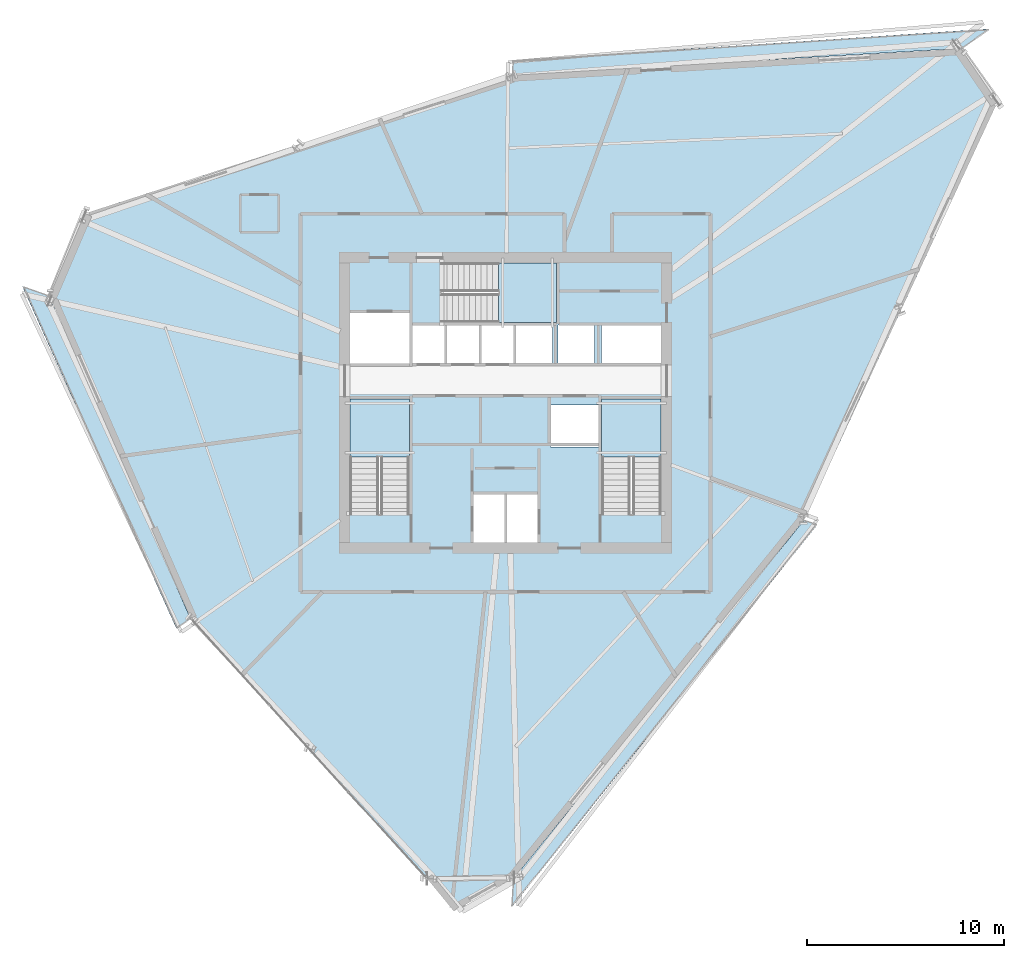
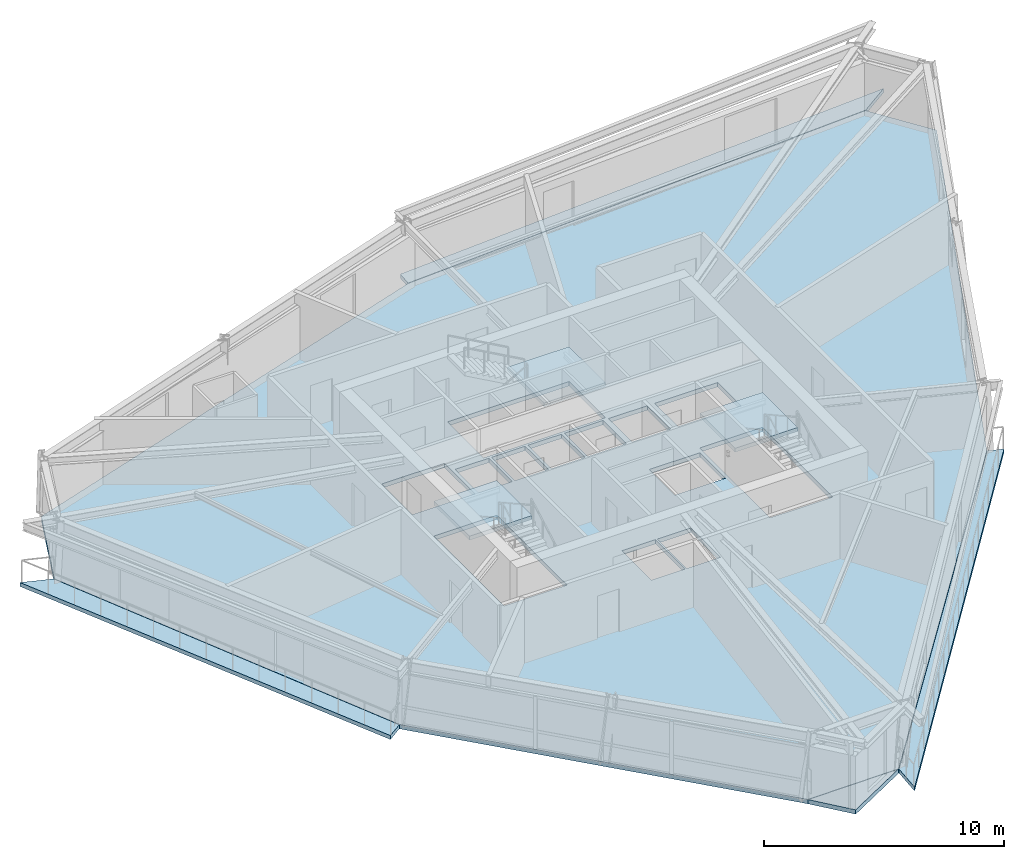
# One storey, part 5 of 13: 8 slabs, 3 elements without a shape of their own.
"""IFC4 building model written with IfcOpenShell, lengths in metres."""

from ifc_helpers import new_model, si_unit, direction, frame, origin, place, context, subcontext, project, spatial, polyline, outline, extrude, material, layer, layer_set, type_object, element, aggregate, save


model = new_model("IFC4")

# Units and contexts
model_context = context("Model", 3, precision=1e-05, world=origin(), true_north=direction((0.0, 1.0)))
body_context = subcontext(model_context, "Body", "Model", "MODEL_VIEW")
ifc_project = project(units=[si_unit("LENGTHUNIT", "METRE"), si_unit("AREAUNIT", "SQUARE_METRE"), si_unit("VOLUMEUNIT", "CUBIC_METRE"), si_unit("PLANEANGLEUNIT", "RADIAN"), si_unit("MASSUNIT", "GRAM", prefix="KILO")], contexts=[model_context])

# Site, building, storey
site_placement = place(None, origin())
site = spatial("IfcSite", under=ifc_project, at=site_placement, CompositionType="ELEMENT")
building_placement = place(site_placement, origin())
building = spatial("IfcBuilding", under=site, at=building_placement, Name="Olszyna Solenne Hotel", CompositionType="ELEMENT")
storey_placement = place(building_placement, frame((0.0, 0.0, 175.0)))
storey = spatial("IfcBuildingStorey", under=building, at=storey_placement, Name="L46", CompositionType="ELEMENT", Elevation=175.0)

# Stair, slab
ifc_material_1 = material(Name="Concrete C40/50", Category="concrete")
stair_type = type_object("IfcStairType", Name="STR-C1", PredefinedType="TWO_QUARTER_WINDING_STAIR", material=ifc_material_1)
stair_1_placement = place(storey_placement, origin())
stair_1 = element("IfcStair", 1, at=stair_1_placement, inside=storey, type_object=stair_type, Name="L46 ST1", PredefinedType="TWO_QUARTER_WINDING_STAIR")
ifc_layer_1 = layer(ifc_material_1, 0.18994140625, Name="Concrete C40/50")
ifc_layer_set_1 = layer_set([ifc_layer_1], Name="Concrete C40/50")
slab_type_1 = type_object("IfcSlabType", Name="SL-LN190", PredefinedType="LANDING", material=ifc_layer_set_1)
slab_1_placement = place(storey_placement, frame((0.0, 0.0, 1.574951171875)))
slab_1 = element("IfcSlab", 2, at=slab_1_placement, type_object=slab_type_1, Name="ST1 landing 1", PredefinedType="LANDING", context=body_context, shape_type="SweptSolid", body=[
    extrude(outline(polyline([(33.1201171875, 23.85009765625), (33.1201171875, 26.800048828125), (30.10009765625, 26.800048828125), (30.10009765625, 23.85009765625), (33.1201171875, 23.85009765625)])), origin(), (0.0, 0.0, 1.0), 0.199951171875),
])
aggregate(stair_1, [slab_1])

stair_2_placement = place(storey_placement, origin())
stair_2 = element("IfcStair", 3, at=stair_2_placement, inside=storey, type_object=stair_type, Name="L46 ST2", PredefinedType="TWO_QUARTER_WINDING_STAIR")
slab_2_placement = place(storey_placement, frame((0.0, 0.0, 1.574951171875)))
slab_2 = element("IfcSlab", 4, at=slab_2_placement, type_object=slab_type_1, Name="ST2 landing 1", PredefinedType="LANDING", context=body_context, shape_type="SweptSolid", body=[
    extrude(outline(polyline([(45.89990234375, 23.85009765625), (45.89990234375, 26.800048828125), (42.8798828125, 26.800048828125), (42.8798828125, 23.85009765625), (45.89990234375, 23.85009765625)])), origin(), (0.0, 0.0, 1.0), 0.199951171875),
])
aggregate(stair_2, [slab_2])

stair_3_placement = place(storey_placement, origin())
stair_3 = element("IfcStair", 5, at=stair_3_placement, inside=storey, type_object=stair_type, Name="L46 ST3", PredefinedType="TWO_QUARTER_WINDING_STAIR")
slab_3_placement = place(storey_placement, frame((0.0, 0.0, 1.574951171875)))
slab_3 = element("IfcSlab", 6, at=slab_3_placement, type_object=slab_type_1, Name="ST3 landing 1", PredefinedType="LANDING", context=body_context, shape_type="SweptSolid", body=[
    extrude(outline(polyline([(37.6298828125, 30.679931640625), (40.580078125, 30.679931640625), (40.580078125, 33.699951171875), (37.6298828125, 33.699951171875), (37.6298828125, 30.679931640625)])), origin(), (0.0, 0.0, 1.0), 0.199951171875),
])
aggregate(stair_3, [slab_3])

# Slabs
ifc_material_2 = material(Name="Precast concrete C45/55", Category="concrete")
ifc_layer_2 = layer(ifc_material_2, 0.199951171875, Name="Precast concrete C45/55")
ifc_layer_set_2 = layer_set([ifc_layer_2], Name="Precast concrete C45/55")
slab_type_2 = type_object("IfcSlabType", Name="SL-LOG200", PredefinedType="FLOOR", material=ifc_layer_set_2)
slab_4_placement = place(storey_placement, frame((0.0, 0.0, -0.199951171875)))
element("IfcSlab", 7, at=slab_4_placement, inside=storey, type_object=slab_type_2, Name="Exterior loggia balcony slab SL-L46-LG1", PredefinedType="FLOOR", context=body_context, shape_type="SweptSolid", body=[
    extrude(outline(polyline([(38.345703125, 43.2421875), (61.107177734375, 44.58984375), (61.10888671875, 44.58984375), (61.1103515625, 44.589599609375), (61.11181640625, 44.58935546875), (61.11328125, 44.5888671875), (61.11474609375, 44.58837890625), (61.1162109375, 44.58740234375), (61.1171875, 44.586669921875), (61.118408203125, 44.585693359375), (61.119384765625, 44.58447265625), (61.120361328125, 44.583251953125), (62.57373046875, 45.586669921875), (38.39208984375, 43.971923828125), (38.345703125, 43.2421875)])), origin(), (0.0, 0.0, 1.0), 0.199951171875),
])
slab_5_placement = place(storey_placement, frame((0.0, 0.0, -0.199951171875)))
element("IfcSlab", 8, at=slab_5_placement, inside=storey, type_object=slab_type_2, Name="Exterior loggia balcony slab SL-L46-LG2", PredefinedType="FLOOR", context=body_context, shape_type="SweptSolid", body=[
    extrude(outline(polyline([(22.002197265625, 15.6572265625), (22.00146484375, 15.658203125), (22.000732421875, 15.65966796875), (14.837158203125, 32.012939453125), (14.83642578125, 32.014404296875), (14.836181640625, 32.015869140625), (14.8359375, 32.017333984375), (14.835693359375, 32.018798828125), (14.8359375, 32.0205078125), (14.836181640625, 32.02197265625), (14.83642578125, 32.0234375), (14.836669921875, 32.02392578125), (13.47998046875, 32.497314453125), (21.28173828125, 15.15966796875), (22.002197265625, 15.6572265625)])), origin(), (0.0, 0.0, 1.0), 0.199951171875),
])
slab_6_placement = place(storey_placement, frame((0.0, 0.0, -0.199951171875)))
element("IfcSlab", 9, at=slab_6_placement, inside=storey, type_object=slab_type_2, Name="Exterior loggia balcony slab SL-L46-LG3", PredefinedType="FLOOR", context=body_context, shape_type="SweptSolid", body=[
    extrude(outline(polyline([(53.149169921875, 20.641845703125), (53.1484375, 20.640380859375), (53.14794921875, 20.639404296875), (53.147216796875, 20.63818359375), (53.146484375, 20.637451171875), (38.4228515625, 2.478515625), (38.421875, 2.477294921875), (38.420654296875, 2.476318359375), (38.419677734375, 2.475341796875), (38.41845703125, 2.474609375), (38.409912109375, 2.469970703125), (38.31640625, 0.99755859375), (53.8203125, 20.40771484375), (53.149169921875, 20.641845703125)])), origin(), (0.0, 0.0, 1.0), 0.199951171875),
])
ifc_material_3 = material(Name="Concrete C50/60", Category="concrete")
ifc_layer_3 = layer(ifc_material_3, 0.219970703125, Name="Concrete C50/60")
ifc_layer_set_3 = layer_set([ifc_layer_3], Name="Concrete C50/60")
slab_type_3 = type_object("IfcSlabType", Name="SL-TW225", PredefinedType="FLOOR", material=ifc_layer_set_3)
slab_7_placement = place(storey_placement, frame((0.0, 0.0, -0.219970703125)))
element("IfcSlab", 10, at=slab_7_placement, inside=storey, type_object=slab_type_3, Name="Floor slab SL-TW225 SL-L46-01", PredefinedType="FLOOR", context=body_context, shape_type="SweptSolid", body=[
    extrude(outline(polyline([(62.965087890625, 41.85791015625), (61.108154296875, 44.57470703125), (38.344482421875, 43.22705078125), (16.647216796875, 36.211181640625), (14.850830078125, 32.01904296875), (22.014404296875, 15.665771484375), (34.017822265625, 2.449462890625), (38.4111328125, 2.48779296875), (53.135009765625, 20.646728515625), (62.965087890625, 41.85791015625)]), holes=[polyline([(30.10009765625, 20.949951171875), (33.1201171875, 20.949951171875), (33.1201171875, 26.800048828125), (30.10009765625, 26.800048828125), (30.10009765625, 20.949951171875)]), polyline([(42.8798828125, 20.949951171875), (45.89990234375, 20.949951171875), (45.89990234375, 26.800048828125), (42.8798828125, 26.800048828125), (42.8798828125, 20.949951171875)]), polyline([(34.72998046875, 30.679931640625), (40.580078125, 30.679931640625), (40.580078125, 33.699951171875), (34.72998046875, 33.699951171875), (34.72998046875, 30.679931640625)]), polyline([(36.340087890625, 19.5), (37.9599609375, 19.5), (37.9599609375, 21.9599609375), (36.340087890625, 21.9599609375), (36.340087890625, 19.5)]), polyline([(38.0400390625, 19.5), (39.659912109375, 19.5), (39.659912109375, 21.9599609375), (38.0400390625, 21.9599609375), (38.0400390625, 19.5)]), polyline([(30.10009765625, 28.60009765625), (33.1201171875, 28.60009765625), (33.1201171875, 31.159912109375), (30.10009765625, 31.159912109375), (30.10009765625, 28.60009765625)]), polyline([(40.280029296875, 24.360107421875), (42.719970703125, 24.360107421875), (42.719970703125, 26.5), (40.280029296875, 26.5), (40.280029296875, 24.360107421875)]), polyline([(33.280029296875, 28.60009765625), (34.89990234375, 28.60009765625), (34.89990234375, 30.550048828125), (33.280029296875, 30.550048828125), (33.280029296875, 28.60009765625)]), polyline([(35.030029296875, 28.60009765625), (36.64990234375, 28.60009765625), (36.64990234375, 30.550048828125), (35.030029296875, 30.550048828125), (35.030029296875, 28.60009765625)]), polyline([(36.780029296875, 28.60009765625), (38.39990234375, 28.60009765625), (38.39990234375, 30.550048828125), (36.780029296875, 30.550048828125), (36.780029296875, 28.60009765625)]), polyline([(38.530029296875, 28.60009765625), (40.389892578125, 28.60009765625), (40.389892578125, 30.550048828125), (38.530029296875, 30.550048828125), (38.530029296875, 28.60009765625)]), polyline([(40.659912109375, 28.60009765625), (42.52001953125, 28.60009765625), (42.52001953125, 30.550048828125), (40.659912109375, 30.550048828125), (40.659912109375, 28.60009765625)]), polyline([(42.8798828125, 28.60009765625), (45.89990234375, 28.60009765625), (45.89990234375, 30.550048828125), (42.8798828125, 30.550048828125), (42.8798828125, 28.60009765625)])]), origin(), (0.0, 0.0, 1.0), 0.219970703125),
])
slab_8_placement = place(storey_placement, frame((0.0, 0.0, -0.219970703125)))
element("IfcSlab", 11, at=slab_8_placement, inside=storey, type_object=slab_type_3, Name="Faceted glass-prism floor slab SL-L46-PR", PredefinedType="FLOOR", context=body_context, shape_type="SweptSolid", body=[
    extrude(outline(polyline([(38.392822265625, 2.4775390625), (34.02587890625, 2.439453125), (35.368896484375, 0.800048828125), (38.392822265625, 2.4775390625)])), origin(), (0.0, 0.0, 1.0), 0.219970703125),
])

save(model, "model.ifc")
